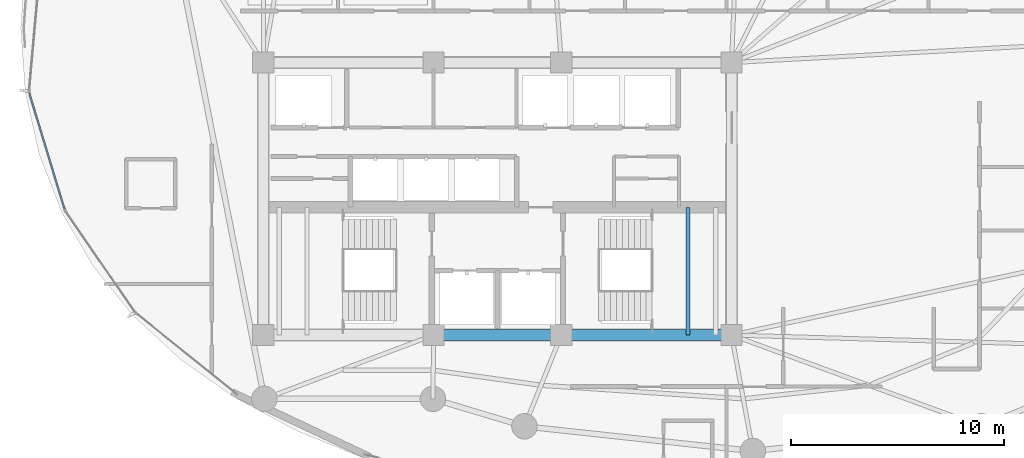
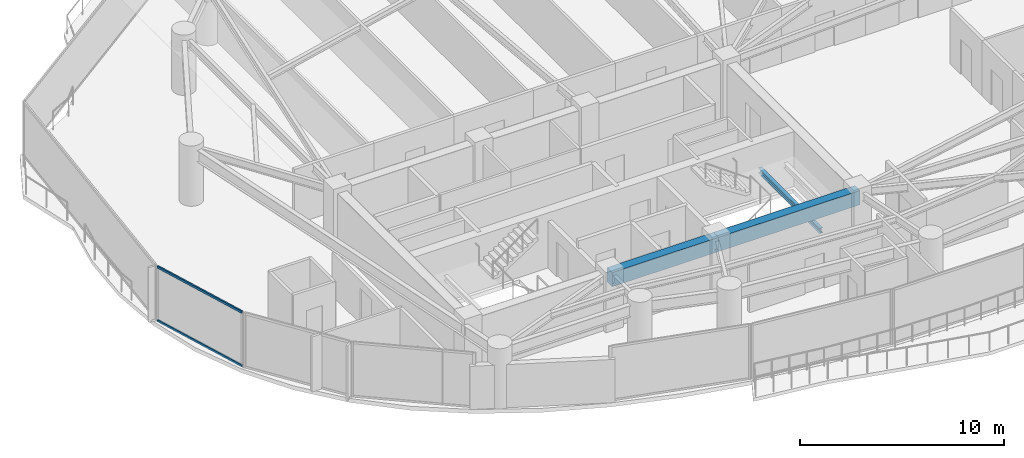
# One storey, part 7 of 33: 3 beams, 2 members, 1 element without a shape of its own.
"""IFC4 building model written with IfcOpenShell, lengths in metres."""

from ifc_helpers import new_model, si_unit, direction, frame, origin, origin_2d, place, context, subcontext, project, spatial, rectangle, hollow_rectangle, i_section, extrude, material, layer, layer_set, material_profile, profile_set, type_object, element, aggregate, save


model = new_model("IFC4")

# Units and contexts
model_context = context("Model", 3, precision=1e-05, world=origin(), true_north=direction((0.0, 1.0)))
body_context = subcontext(model_context, "Body", "Model", "MODEL_VIEW")
ifc_project = project(units=[si_unit("LENGTHUNIT", "METRE"), si_unit("AREAUNIT", "SQUARE_METRE"), si_unit("VOLUMEUNIT", "CUBIC_METRE"), si_unit("PLANEANGLEUNIT", "RADIAN"), si_unit("MASSUNIT", "GRAM", prefix="KILO")], contexts=[model_context])

# Site, building, storey
site_placement = place(None, origin())
site = spatial("IfcSite", under=ifc_project, at=site_placement, CompositionType="ELEMENT")
building_placement = place(site_placement, origin())
building = spatial("IfcBuilding", under=site, at=building_placement, Name="Kazevale Care Tower and Concert Hall", CompositionType="ELEMENT")
storey_placement = place(building_placement, frame((0.0, 0.0, 178.199951171875)))
storey = spatial("IfcBuildingStorey", under=building, at=storey_placement, Name="L47", CompositionType="ELEMENT", Elevation=178.199951171875)

# Curtain wall, members
ifc_material_1 = material(Name="Aluminium 6063-T6 and Low-E Glass", Category="aluminium")
ifc_layer = layer(ifc_material_1, 0.179931640625)
ifc_layer_set = layer_set([ifc_layer], Name="Aluminium 6063-T6 and Low-E Glass")
curtain_wall_type = type_object("IfcCurtainWallType", Name="Waist & Upper Residential Curtain Wall CW-4", PredefinedType="NOTDEFINED", material=ifc_layer_set)
curtain_wall_placement = place(storey_placement, origin())
curtain_wall = element("IfcCurtainWall", 1, at=curtain_wall_placement, inside=storey, type_object=curtain_wall_type, Name="cw:L47:f12", PredefinedType="NOTDEFINED")
ifc_material_2 = material(Name="Aluminium 6063-T6", Category="aluminium")
ifc_material_profile_1 = material_profile(ifc_material_2, hollow_rectangle(XDim=0.080078125, YDim=0.139892578125, WallThickness=0.00390625, at=origin_2d()), Name="ALU80x140x4")
ifc_profile_set_1 = profile_set([ifc_material_profile_1], Name="Aluminium 6063-T6")
member_type = type_object("IfcMemberType", Name="CW-4 Transom ALU80x140x4", PredefinedType="USERDEFINED", material=ifc_profile_set_1)
member_1_placement = place(storey_placement, frame((12.669677734375, 29.517578125, 0.0400390625), z_axis=(-0.290964759976, 0.956733770937, 0.0), x_axis=(-0.956733770937, -0.290964759976, 0.0)))
member_1 = element("IfcMember", 2, at=member_1_placement, type_object=member_type, Name="CW-4 transom 1.1", ObjectType="TRANSOM", PredefinedType="USERDEFINED", context=body_context, shape_type="SweptSolid", body=[
    extrude(hollow_rectangle(XDim=0.080078125, YDim=0.139892578125, WallThickness=0.00390625, at=origin_2d()), origin(), (0.0, 0.0, 1.0), 5.675537109375),
])
member_2_placement = place(storey_placement, frame((12.669677734375, 29.517578125, 3.239990234375), z_axis=(-0.290964759976, 0.956733770937, 0.0), x_axis=(-0.956733770937, -0.290964759976, 0.0)))
member_2 = element("IfcMember", 3, at=member_2_placement, type_object=member_type, Name="CW-4 transom 1.2", ObjectType="TRANSOM", PredefinedType="USERDEFINED", context=body_context, shape_type="SweptSolid", body=[
    extrude(hollow_rectangle(XDim=0.080078125, YDim=0.139892578125, WallThickness=0.00390625, at=origin_2d()), origin(), (0.0, 0.0, 1.0), 5.675537109375),
])
aggregate(curtain_wall, [member_1, member_2])

# Beams
ifc_material_3 = material(Name="Concrete C60", Category="concrete")
ifc_material_profile_2 = material_profile(ifc_material_3, rectangle(XDim=0.5, YDim=0.85009765625, at=origin_2d()), Name="RC-B500x850")
ifc_profile_set_2 = profile_set([ifc_material_profile_2], Name="Concrete C60")
beam_type_1 = type_object("IfcBeamType", Name="Core Coupling Beam RC500x850", PredefinedType="LINTEL", material=ifc_profile_set_2)
beam_1_placement = place(storey_placement, frame((30.0, 23.60009765625, 2.85498046875), z_axis=(1.0, 0.0, 0.0), x_axis=(0.0, 1.0, 0.0)))
element("IfcBeam", 4, at=beam_1_placement, inside=storey, type_object=beam_type_1, Name="beam:L47:coretie:2", PredefinedType="LINTEL", context=body_context, shape_type="SweptSolid", body=[
    extrude(rectangle(XDim=0.5, YDim=0.85009765625, at=origin_2d()), origin(), (0.0, 0.0, 1.0), 6.0),
])
beam_2_placement = place(storey_placement, frame((36.0, 23.60009765625, 2.85498046875), z_axis=(1.0, 0.0, 0.0), x_axis=(0.0, 1.0, 0.0)))
element("IfcBeam", 5, at=beam_2_placement, inside=storey, type_object=beam_type_1, Name="beam:L47:coretie:3", PredefinedType="LINTEL", context=body_context, shape_type="SweptSolid", body=[
    extrude(rectangle(XDim=0.5, YDim=0.85009765625, at=origin_2d()), origin(), (0.0, 0.0, 1.0), 8.0),
])
ifc_material_4 = material(Name="Steel ASTM A572 Gr 50", Category="steel")
ifc_material_profile_3 = material_profile(ifc_material_4, i_section(OverallWidth=0.202880859375, OverallDepth=0.302978515625, WebThickness=0.007568359375, FlangeThickness=0.01318359375, at=origin_2d()), Name="W310x60")
ifc_profile_set_3 = profile_set([ifc_material_profile_3], Name="Steel ASTM A572 Gr 50")
beam_type_2 = type_object("IfcBeamType", Name="Stair & Balcony Trimmer W310x60", PredefinedType="BEAM", material=ifc_profile_set_3)
beam_3_placement = place(storey_placement, frame((41.949951171875, 23.60009765625, 1.448486328125), z_axis=(0.0, 1.0, 0.0), x_axis=(-1.0, 0.0, 0.0)))
element("IfcBeam", 6, at=beam_3_placement, inside=storey, type_object=beam_type_2, Name="beam:L47:sttrim:ST2", PredefinedType="BEAM", context=body_context, shape_type="SweptSolid", body=[
    extrude(i_section(OverallWidth=0.202880859375, OverallDepth=0.302978515625, WebThickness=0.007568359375, FlangeThickness=0.01318359375, at=origin_2d()), origin(), (0.0, 0.0, 1.0), 6.0),
])

save(model, "model.ifc")
